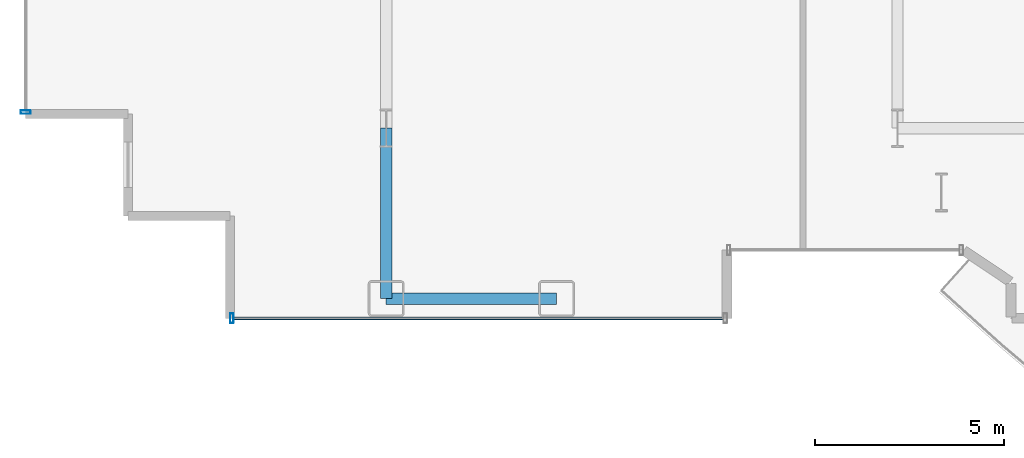
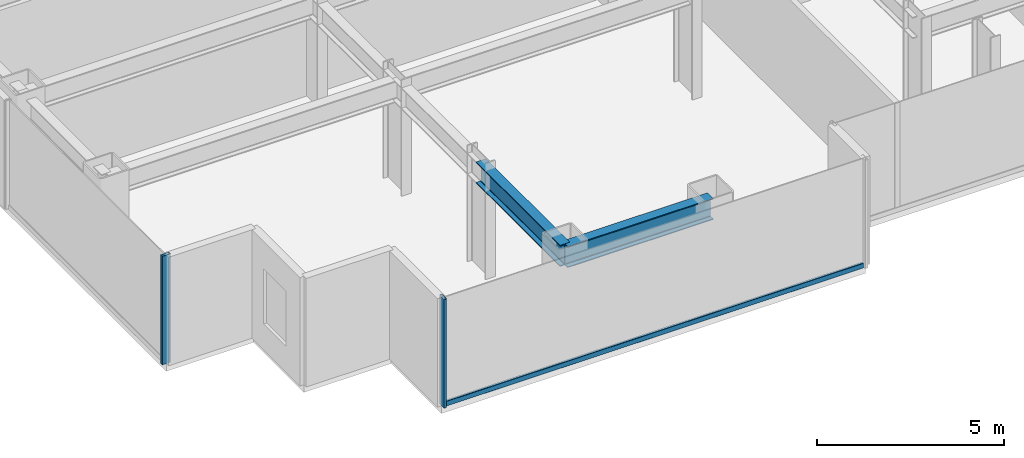
# One storey, part 2 of 29: 3 members, 2 beams, 2 elements without a shape of their own.
"""IFC4 building model written with IfcOpenShell, lengths in metres."""

from ifc_helpers import new_model, si_unit, direction, frame, origin, origin_2d, place, context, subcontext, project, spatial, hollow_rectangle, i_section, extrude, source, transform, mapped, material, layer, layer_set, material_profile, profile_set, type_object, element, aggregate, save


model = new_model("IFC4")

# Units and contexts
model_context = context("Model", 3, precision=1e-05, world=origin(), true_north=direction((0.0, 1.0)))
body_context = subcontext(model_context, "Body", "Model", "MODEL_VIEW")
ifc_project = project(units=[si_unit("LENGTHUNIT", "METRE"), si_unit("AREAUNIT", "SQUARE_METRE"), si_unit("VOLUMEUNIT", "CUBIC_METRE"), si_unit("PLANEANGLEUNIT", "RADIAN"), si_unit("MASSUNIT", "GRAM", prefix="KILO")], contexts=[model_context])

# Site, building, storey
site_placement = place(None, origin())
site = spatial("IfcSite", under=ifc_project, at=site_placement, CompositionType="ELEMENT")
building_placement = place(site_placement, origin())
building = spatial("IfcBuilding", under=site, at=building_placement, Name="Nefas-Gora Pilgrimage Tower", CompositionType="ELEMENT")
storey_placement = place(building_placement, frame((0.0, 0.0, 67.199951171875)))
storey = spatial("IfcBuildingStorey", under=building, at=storey_placement, Name="L15", CompositionType="ELEMENT", Elevation=67.199951171875)

# Beams
ifc_material_1 = material(Name="Steel S355", Category="steel")
ifc_material_profile_1 = material_profile(ifc_material_1, i_section(OverallWidth=0.300048828125, OverallDepth=0.699951171875, WebThickness=0.01708984375, FlangeThickness=0.031982421875, FilletRadius=0.027099609375, at=origin_2d()), Name="HEB 700")
ifc_profile_set_1 = profile_set([ifc_material_profile_1], Name="Steel S355")
beam_type_1 = type_object("IfcBeamType", Name="BM-SPN-HEB600", PredefinedType="SPANDREL", material=ifc_profile_set_1)
shared_shape_1 = source(origin(), body_context, "Body", "SweptSolid", [
    extrude(i_section(OverallWidth=0.300048828125, OverallDepth=0.699951171875, WebThickness=0.01708984375, FlangeThickness=0.031982421875, FilletRadius=0.027099609375, at=origin_2d()), origin(), (0.0, 0.0, 1.0), 4.5),
])
beam_1_placement = place(storey_placement, frame((-24.75, -22.5, 3.199951171875), z_axis=(1.0, 0.0, 0.0), x_axis=(0.0, 1.0, 0.0)))
element("IfcBeam", 1, at=beam_1_placement, inside=storey, type_object=beam_type_1, Name="L15 SP-01 beam", PredefinedType="SPANDREL", context=body_context, shape_type="MappedRepresentation", body=[
    mapped(shared_shape_1, transform((0.0, 0.0, 0.0), x_axis=(1.0, 0.0, 0.0), y_axis=(0.0, 1.0, 0.0), z_axis=(0.0, 0.0, 1.0), scale=1.0)),
])
ifc_material_profile_2 = material_profile(ifc_material_1, i_section(OverallWidth=0.300048828125, OverallDepth=0.699951171875, WebThickness=0.01708984375, FlangeThickness=0.031982421875, FilletRadius=0.027099609375, at=origin_2d()), Name="HEB 700")
ifc_profile_set_2 = profile_set([ifc_material_profile_2], Name="Steel S355")
beam_type_2 = type_object("IfcBeamType", Name="BM-GIR-HEB700", PredefinedType="BEAM", material=ifc_profile_set_2)
shared_shape_2 = source(origin(), body_context, "Body", "SweptSolid", [
    extrude(i_section(OverallWidth=0.300048828125, OverallDepth=0.699951171875, WebThickness=0.01708984375, FlangeThickness=0.031982421875, FilletRadius=0.027099609375, at=origin_2d()), origin(), (0.0, 0.0, 1.0), 4.5),
])
beam_2_placement = place(storey_placement, frame((-24.75, -22.5, 3.199951171875), z_axis=(0.0, 1.0, 0.0), x_axis=(-1.0, 0.0, 0.0)))
element("IfcBeam", 2, at=beam_2_placement, inside=storey, type_object=beam_type_2, Name="L15 G-02 beam", PredefinedType="BEAM", context=body_context, shape_type="MappedRepresentation", body=[
    mapped(shared_shape_2, transform((0.0, 0.0, 0.0), x_axis=(1.0, 0.0, 0.0), y_axis=(0.0, 1.0, 0.0), z_axis=(0.0, 0.0, 1.0), scale=1.0)),
])

# Curtain wall, member
ifc_material_2 = material(Name="Dark ceramic-fritted solar-control aluminium-glass curtain wall", Category="aluminium")
ifc_layer = layer(ifc_material_2, 0.219970703125)
ifc_layer_set = layer_set([ifc_layer], Name="Dark ceramic-fritted solar-control aluminium-glass curtain wall")
curtain_wall_type = type_object("IfcCurtainWallType", Name="CW-SYS-2", PredefinedType="NOTDEFINED", material=ifc_layer_set)
curtain_wall_1_placement = place(storey_placement, origin())
curtain_wall_1 = element("IfcCurtainWall", 3, at=curtain_wall_1_placement, inside=storey, type_object=curtain_wall_type, Name="L15 Unitised Curtain Wall CW2", PredefinedType="NOTDEFINED")
ifc_material_3 = material(Name="Anodised architectural aluminium", Category="aluminium")
ifc_material_profile_3 = material_profile(ifc_material_3, hollow_rectangle(XDim=0.090087890625, YDim=0.260009765625, WallThickness=0.006103515625, InnerFilletRadius=0.006103515625, OuterFilletRadius=0.011962890625, at=origin_2d()), Name="ALU MULLION 90x260")
ifc_profile_set_3 = profile_set([ifc_material_profile_3], Name="Anodised architectural aluminium")
member_type_1 = type_object("IfcMemberType", Name="CWM-MUL-2", PredefinedType="MULLION", material=ifc_profile_set_3)
shared_shape_3 = source(origin(), body_context, "Body", "SweptSolid", [
    extrude(hollow_rectangle(XDim=0.090087890625, YDim=0.260009765625, WallThickness=0.006103515625, InnerFilletRadius=0.006103515625, OuterFilletRadius=0.011962890625, at=origin_2d()), origin(), (0.0, 0.0, 1.0), 3.550048828125),
])
member_1_placement = place(storey_placement, frame((-34.27001953125, -17.574951171875, 0.0), z_axis=(0.0, 0.0, 1.0), x_axis=(0.0, -1.0, 0.0)))
member_1 = element("IfcMember", 4, at=member_1_placement, type_object=member_type_1, Name="CW2 Mullion 2", PredefinedType="MULLION", context=body_context, shape_type="MappedRepresentation", body=[
    mapped(shared_shape_3, transform((0.0, 0.0, 0.0), x_axis=(1.0, 0.0, 0.0), y_axis=(0.0, 1.0, 0.0), z_axis=(0.0, 0.0, 1.0), scale=1.0)),
])
aggregate(curtain_wall_1, [member_1])

# Curtain wall, members
curtain_wall_2_placement = place(storey_placement, origin())
curtain_wall_2 = element("IfcCurtainWall", 5, at=curtain_wall_2_placement, inside=storey, type_object=curtain_wall_type, Name="L15 Unitised Curtain Wall CW2", PredefinedType="NOTDEFINED")
member_2_placement = place(storey_placement, frame((-28.824951171875, -23.02001953125, 0.0), z_axis=(0.0, 0.0, 1.0), x_axis=(1.0, 0.0, 0.0)))
member_2 = element("IfcMember", 6, at=member_2_placement, type_object=member_type_1, Name="CW2 Mullion 1", PredefinedType="MULLION", context=body_context, shape_type="MappedRepresentation", body=[
    mapped(shared_shape_3, transform((0.0, 0.0, 0.0), x_axis=(1.0, 0.0, 0.0), y_axis=(0.0, 1.0, 0.0), z_axis=(0.0, 0.0, 1.0), scale=1.0)),
])
ifc_material_profile_4 = material_profile(ifc_material_3, hollow_rectangle(XDim=0.080078125, YDim=0.159912109375, WallThickness=0.00439453125, InnerFilletRadius=0.00439453125, OuterFilletRadius=0.009033203125, at=origin_2d()), Name="ALU TRANSOM 80x160")
ifc_profile_set_4 = profile_set([ifc_material_profile_4], Name="Anodised architectural aluminium")
member_type_2 = type_object("IfcMemberType", Name="CWM-TRN-2", PredefinedType="USERDEFINED", material=ifc_profile_set_4)
shared_shape_4 = source(origin(), body_context, "Body", "SweptSolid", [
    extrude(hollow_rectangle(XDim=0.080078125, YDim=0.159912109375, WallThickness=0.00439453125, InnerFilletRadius=0.00439453125, OuterFilletRadius=0.009033203125, at=origin_2d()), origin(), (0.0, 0.0, 1.0), 12.93994140625),
])
member_3_placement = place(storey_placement, frame((-28.780029296875, -23.02001953125, 0.050048828125), z_axis=(1.0, 0.0, 0.0), x_axis=(0.0, 1.0, 0.0)))
member_3 = element("IfcMember", 7, at=member_3_placement, type_object=member_type_2, Name="CW2 Spandrel Transom", ObjectType="TRANSOM", PredefinedType="USERDEFINED", context=body_context, shape_type="MappedRepresentation", body=[
    mapped(shared_shape_4, transform((0.0, 0.0, 0.0), x_axis=(1.0, 0.0, 0.0), y_axis=(0.0, 1.0, 0.0), z_axis=(0.0, 0.0, 1.0), scale=1.0)),
])
aggregate(curtain_wall_2, [member_2, member_3])

save(model, "model.ifc")
